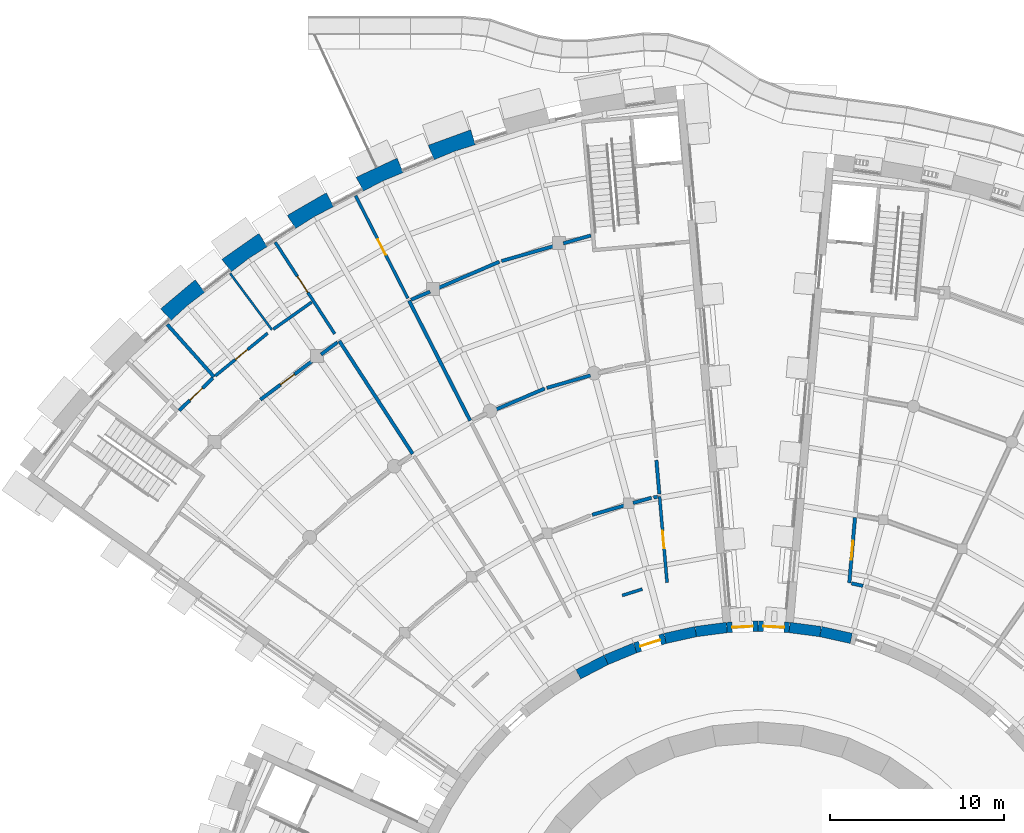
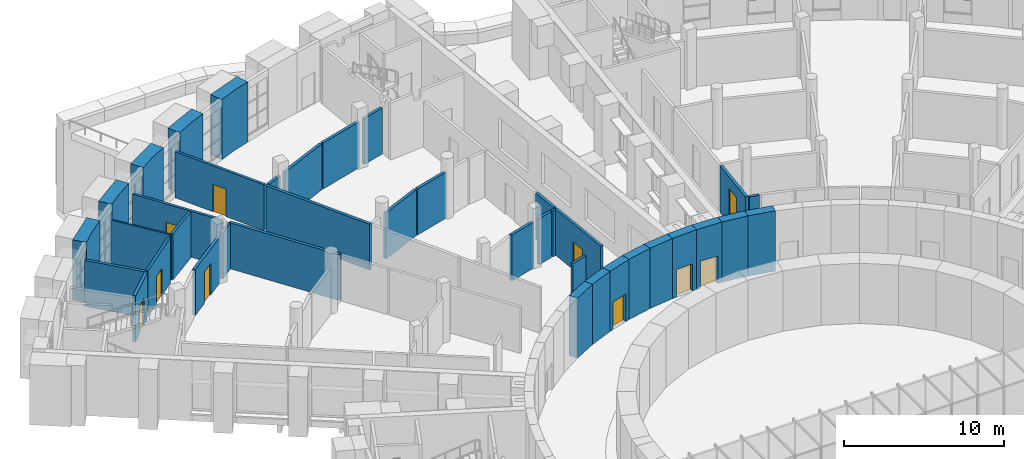
# One storey, part 57 of 85: 39 walls, 10 doors, 10 openings.
"""IFC4 building model written with IfcOpenShell, lengths in metres."""

from ifc_helpers import new_model, si_unit, direction, frame, frame_2d, origin, place, context, subcontext, project, spatial, polyline, rectangle, outline, extrude, material, layer, layer_set, type_object, element, fill, save


model = new_model("IFC4")

# Units and contexts
model_context = context("Model", 3, precision=1e-05, world=origin(), true_north=direction((0.0, 1.0)))
body_context = subcontext(model_context, "Body", "Model", "MODEL_VIEW")
ifc_project = project(units=[si_unit("LENGTHUNIT", "METRE"), si_unit("AREAUNIT", "SQUARE_METRE"), si_unit("VOLUMEUNIT", "CUBIC_METRE"), si_unit("PLANEANGLEUNIT", "RADIAN"), si_unit("MASSUNIT", "GRAM", prefix="KILO")], contexts=[model_context])

# Site, building, storey
site_placement = place(None, origin())
site = spatial("IfcSite", under=ifc_project, at=site_placement, CompositionType="ELEMENT")
building_placement = place(site_placement, origin())
building = spatial("IfcBuilding", under=site, at=building_placement, Name="Volute Hill Aquarium", CompositionType="ELEMENT")
storey_placement = place(building_placement, origin())
storey = spatial("IfcBuildingStorey", under=building, at=storey_placement, Name="L01", CompositionType="ELEMENT", Elevation=0.0)

# Wall, opening, door
ifc_material_1 = material(Name="Gypsum board on steel studs", Category="steel")
ifc_layer_1 = layer(ifc_material_1, 0.175048828125)
ifc_layer_set_1 = layer_set([ifc_layer_1], Name="Corridor partition 175 EI 60")
wall_type_1 = type_object("IfcWallType", Name="Corridor partition 175 EI 60", PredefinedType="PARTITIONING", material=ifc_layer_set_1)
wall_1_placement = place(storey_placement, frame((-23.1640625, 45.462158203125, 0.0), z_axis=(0.0, 0.0, 1.0), x_axis=(0.453983208185, -0.891010239383, 0.0)))
wall_1 = element("IfcWall", 1, at=wall_1_placement, inside=storey, type_object=wall_type_1, Name="pw/S6/L01/004", PredefinedType="PARTITIONING", context=body_context, shape_type="SweptSolid", body=[
    extrude(rectangle(XDim=6.623291015625, YDim=0.175048828125, at=frame_2d((3.3115234375, 0.0))), origin(), (0.0, 0.0, 1.0), 3.510009765625),
])
opening_1_placement = place(wall_1_placement, frame((2.811767578125, 0.0, 0.0)))
opening_1 = element("IfcOpeningElement", 2, at=opening_1_placement, cuts=wall_1, Name="Opening D6.01.07", PredefinedType="OPENING", context=body_context, shape_type="SweptSolid", body=[
    extrude(rectangle(XDim=1.0, YDim=2.10009765625, at=frame_2d((0.5, 1.050048828125))), frame((0.0, 0.097412109375, 0.0), z_axis=(0.0, -1.0, 0.0), x_axis=(1.0, 0.0, 0.0)), (0.0, 0.0, 1.0), 0.195068359375),
])
ifc_material_2 = material(Name="Timber, fire-rated", Category="wood")
door_type_1 = type_object("IfcDoorType", Name="Door 1000 x 2100 single EI1 30", OperationType="SINGLE_SWING_LEFT", PredefinedType="DOOR", material=ifc_material_2)
door_1_placement = place(opening_1_placement, origin())
door_1 = element("IfcDoor", 3, at=door_1_placement, inside=storey, type_object=door_type_1, Name="d/S6/L01/07", OperationType="SINGLE_SWING_LEFT", OverallHeight=2.10009765625, OverallWidth=1.0, PredefinedType="DOOR", context=body_context, shape_type="SweptSolid", body=[
    extrude(rectangle(XDim=1.0, YDim=2.10009765625, at=frame_2d((0.5, 1.050048828125))), frame((0.0, 0.02490234375, 0.0), z_axis=(0.0, -1.0, 0.0), x_axis=(1.0, 0.0, 0.0)), (0.0, 0.0, 1.0), 0.050048828125),
])
fill(opening_1, door_1)

wall_2_placement = place(storey_placement, frame((-24.364990234375, 37.518798828125, 0.0), z_axis=(0.0, 0.0, 1.0), x_axis=(-0.544641624285, 0.838668886448, 0.0)))
wall_2 = element("IfcWall", 4, at=wall_2_placement, inside=storey, type_object=wall_type_1, Name="pw/S6/L01/008", PredefinedType="PARTITIONING", context=body_context, shape_type="SweptSolid", body=[
    extrude(rectangle(XDim=6.287353515625, YDim=0.175048828125, at=frame_2d((3.1435546875, 0.0))), origin(), (0.0, 0.0, 1.0), 3.510009765625),
])
opening_2_placement = place(wall_2_placement, frame((2.843505859375, 0.0, 0.0)))
opening_2 = element("IfcOpeningElement", 5, at=opening_2_placement, cuts=wall_2, Name="Opening D6.01.08", PredefinedType="OPENING", context=body_context, shape_type="SweptSolid", body=[
    extrude(rectangle(XDim=1.10009765625, YDim=2.10009765625, at=frame_2d((0.550048828125, 1.050048828125))), frame((0.0, 0.097412109375, 0.0), z_axis=(0.0, -1.0, 0.0), x_axis=(1.0, 0.0, 0.0)), (0.0, 0.0, 1.0), 0.195068359375),
])
ifc_material_3 = material(Name="Timber, fire-rated", Category="wood")
door_type_2 = type_object("IfcDoorType", Name="Door 1100 x 2100 accessible WC EI1 30", OperationType="SINGLE_SWING_LEFT", PredefinedType="DOOR", material=ifc_material_3)
door_2_placement = place(opening_2_placement, origin())
door_2 = element("IfcDoor", 6, at=door_2_placement, inside=storey, type_object=door_type_2, Name="d/S6/L01/08", OperationType="SINGLE_SWING_RIGHT", OverallHeight=2.10009765625, OverallWidth=1.10009765625, PredefinedType="DOOR", context=body_context, shape_type="SweptSolid", body=[
    extrude(rectangle(XDim=1.10009765625, YDim=2.10009765625, at=frame_2d((0.550048828125, 1.050048828125))), frame((0.0, 0.02490234375, 0.0), z_axis=(0.0, -1.0, 0.0), x_axis=(1.0, 0.0, 0.0)), (0.0, 0.0, 1.0), 0.050048828125),
])
fill(opening_2, door_2)

wall_3_placement = place(storey_placement, frame((-5.2421875, 23.202392578125, 0.0), z_axis=(0.0, 0.0, 1.0), x_axis=(-0.087171821309, 0.996193291269, 0.0)))
wall_3 = element("IfcWall", 7, at=wall_3_placement, inside=storey, type_object=wall_type_1, Name="pw/S6/L01/012", PredefinedType="PARTITIONING", context=body_context, shape_type="SweptSolid", body=[
    extrude(rectangle(XDim=4.97412109375, YDim=0.175048828125, at=frame_2d((2.487060546875, 0.0))), origin(), (0.0, 0.0, 1.0), 3.510009765625),
])
opening_3_placement = place(wall_3_placement, frame((1.987060546875, 0.0, 0.0)))
opening_3 = element("IfcOpeningElement", 8, at=opening_3_placement, cuts=wall_3, Name="Opening D6.01.01", PredefinedType="OPENING", context=body_context, shape_type="SweptSolid", body=[
    extrude(rectangle(XDim=1.0, YDim=2.10009765625, at=frame_2d((0.5, 1.050048828125))), frame((0.0, 0.097412109375, 0.0), z_axis=(0.0, -1.0, 0.0), x_axis=(1.0, 0.0, 0.0)), (0.0, 0.0, 1.0), 0.195068359375),
])
door_3_placement = place(opening_3_placement, origin())
door_3 = element("IfcDoor", 9, at=door_3_placement, inside=storey, type_object=door_type_1, Name="d/S6/L01/01", OperationType="SINGLE_SWING_LEFT", OverallHeight=2.10009765625, OverallWidth=1.0, PredefinedType="DOOR", context=body_context, shape_type="SweptSolid", body=[
    extrude(rectangle(XDim=1.0, YDim=2.10009765625, at=frame_2d((0.5, 1.050048828125))), frame((0.0, 0.02490234375, 0.0), z_axis=(0.0, -1.0, 0.0), x_axis=(1.0, 0.0, 0.0)), (0.0, 0.0, 1.0), 0.050048828125),
])
fill(opening_3, door_3)

wall_4_placement = place(storey_placement, frame((-28.222412109375, 37.553955078125, 0.0), z_axis=(0.0, 0.0, 1.0), x_axis=(-0.775402094993, -0.631467806845, 0.0)))
wall_4 = element("IfcWall", 10, at=wall_4_placement, inside=storey, type_object=wall_type_1, Name="pw/S6/L01/017", PredefinedType="PARTITIONING", context=body_context, shape_type="SweptSolid", body=[
    extrude(rectangle(XDim=3.89453125, YDim=0.175048828125, at=frame_2d((1.947265625, 0.0))), origin(), (0.0, 0.0, 1.0), 3.510009765625),
])
opening_4_placement = place(wall_4_placement, frame((1.4970703125, 0.0, 0.0)))
opening_4 = element("IfcOpeningElement", 11, at=opening_4_placement, cuts=wall_4, Name="Opening D6.01.10", PredefinedType="OPENING", context=body_context, shape_type="SweptSolid", body=[
    extrude(rectangle(XDim=0.89990234375, YDim=2.10009765625, at=frame_2d((0.449951171875, 1.050048828125))), frame((0.0, 0.097412109375, 0.0), z_axis=(0.0, -1.0, 0.0), x_axis=(1.0, 0.0, 0.0)), (0.0, 0.0, 1.0), 0.195068359375),
])
ifc_material_4 = material(Name="Timber, fire-rated", Category="wood")
door_type_3 = type_object("IfcDoorType", Name="Door 900 x 2100 wc single EI1 30", OperationType="SINGLE_SWING_LEFT", PredefinedType="DOOR", material=ifc_material_4)
door_4_placement = place(opening_4_placement, origin())
door_4 = element("IfcDoor", 12, at=door_4_placement, inside=storey, type_object=door_type_3, Name="d/S6/L01/10", OperationType="SINGLE_SWING_RIGHT", OverallHeight=2.10009765625, OverallWidth=0.89990234375, PredefinedType="DOOR", context=body_context, shape_type="SweptSolid", body=[
    extrude(rectangle(XDim=0.89990234375, YDim=2.10009765625, at=frame_2d((0.449951171875, 1.050048828125))), frame((0.0, 0.02490234375, 0.0), z_axis=(0.0, -1.0, 0.0), x_axis=(1.0, 0.0, 0.0)), (0.0, 0.0, 1.0), 0.050048828125),
])
fill(opening_4, door_4)

# Walls
wall_5_placement = place(storey_placement, frame((-27.89794921875, 37.78271484375, 0.0), z_axis=(0.0, 0.0, 1.0), x_axis=(0.817117986764, 0.576470463863, 0.0)))
element("IfcWall", 13, at=wall_5_placement, inside=storey, type_object=wall_type_1, Name="pw/S6/L01/025", PredefinedType="PARTITIONING", context=body_context, shape_type="SweptSolid", body=[
    extrude(rectangle(XDim=2.70361328125, YDim=0.175048828125, at=frame_2d((1.351806640625, 0.0))), origin(), (0.0, 0.0, 1.0), 3.510009765625),
])
wall_6_placement = place(storey_placement, frame((-7.819580078125, 22.4658203125, 0.0), z_axis=(0.0, 0.0, 1.0), x_axis=(0.953765647502, 0.300551309505, 0.0)))
element("IfcWall", 14, at=wall_6_placement, inside=storey, type_object=wall_type_1, Name="pw/S6/L01/048", PredefinedType="PARTITIONING", context=body_context, shape_type="SweptSolid", body=[
    extrude(rectangle(XDim=1.208740234375, YDim=0.175048828125, at=frame_2d((0.6044921875, 0.0))), origin(), (0.0, 0.0, 1.0), 3.510009765625),
])
ifc_material_5 = material(Name="Concrete C35/45", Category="concrete")
ifc_layer_2 = layer(ifc_material_5, 0.60009765625)
ifc_layer_set_2 = layer_set([ifc_layer_2], Name="Drum wall C35/45 600")
wall_type_2 = type_object("IfcWallType", Name="Drum wall C35/45 600", PredefinedType="SHEAR", material=ifc_layer_set_2)
wall_7_placement = place(storey_placement, frame((5.357666015625, 19.99462890625, 0.0), z_axis=(0.0, 0.0, 1.0), x_axis=(-0.976298259567, 0.216429453554, 0.0)))
element("IfcWall", 15, at=wall_7_placement, inside=storey, type_object=wall_type_2, Name="sw/DR/L01/15", PredefinedType="SHEAR", context=body_context, shape_type="SweptSolid", body=[
    extrude(rectangle(XDim=1.805908203125, YDim=0.60009765625, at=frame_2d((0.90283203125, 0.0))), origin(), (0.0, 0.0, 1.0), 4.60009765625),
])
wall_8_placement = place(storey_placement, frame((3.594482421875, 20.385498046875, 0.0), z_axis=(0.0, 0.0, 1.0), x_axis=(-0.991451994433, 0.130471999813, 0.0)))
element("IfcWall", 16, at=wall_8_placement, inside=storey, type_object=wall_type_2, Name="sw/DR/L01/16", PredefinedType="SHEAR", context=body_context, shape_type="SweptSolid", body=[
    extrude(rectangle(XDim=1.8056640625, YDim=0.60009765625, at=frame_2d((0.90283203125, 0.0))), origin(), (0.0, 0.0, 1.0), 4.60009765625),
])

# Wall, opening, door
wall_9_placement = place(storey_placement, frame((1.80419921875, 20.62109375, 0.0), z_axis=(0.0, 0.0, 1.0), x_axis=(-0.999046184291, 0.043666024022, 0.0)))
wall_9 = element("IfcWall", 17, at=wall_9_placement, inside=storey, type_object=wall_type_2, Name="sw/DR/L01/17", PredefinedType="SHEAR", context=body_context, shape_type="SweptSolid", body=[
    extrude(rectangle(XDim=1.805908203125, YDim=0.60009765625, at=frame_2d((0.90283203125, 0.0))), origin(), (0.0, 0.0, 1.0), 4.60009765625),
])
opening_5_placement = place(wall_9_placement, frame((0.302978515625, 0.0, 0.0)))
opening_5 = element("IfcOpeningElement", 18, at=opening_5_placement, cuts=wall_9, Name="Opening DX.SC6.1", PredefinedType="OPENING", context=body_context, shape_type="SweptSolid", body=[
    extrude(rectangle(XDim=1.199951171875, YDim=2.10009765625, at=frame_2d((0.60009765625, 1.050048828125))), frame((0.0, 0.31005859375, 0.0), z_axis=(0.0, -1.0, 0.0), x_axis=(1.0, 0.0, 0.0)), (0.0, 0.0, 1.0), 0.6201171875),
])
ifc_material_6 = material(Name="Timber, fire-rated", Category="wood")
door_type_4 = type_object("IfcDoorType", Name="Door 1200 x 2100 drum double EI1 30", OperationType="DOUBLE_DOOR_SINGLE_SWING", PredefinedType="DOOR", material=ifc_material_6)
door_5_placement = place(opening_5_placement, origin())
door_5 = element("IfcDoor", 19, at=door_5_placement, inside=storey, type_object=door_type_4, Name="d/SC6/L01/ex1", OperationType="SINGLE_SWING_LEFT", OverallHeight=2.10009765625, OverallWidth=1.199951171875, PredefinedType="DOOR", context=body_context, shape_type="SweptSolid", body=[
    extrude(rectangle(XDim=1.199951171875, YDim=2.10009765625, at=frame_2d((0.60009765625, 1.050048828125))), frame((0.0, 0.02490234375, 0.0), z_axis=(0.0, -1.0, 0.0), x_axis=(1.0, 0.0, 0.0)), (0.0, 0.0, 1.0), 0.050048828125),
])
fill(opening_5, door_5)

wall_10_placement = place(storey_placement, frame((0.0, 20.699951171875, 0.0), z_axis=(0.0, 0.0, 1.0), x_axis=(-0.999046184291, -0.043666024022, 0.0)))
wall_10 = element("IfcWall", 20, at=wall_10_placement, inside=storey, type_object=wall_type_2, Name="sw/DR/L01/18", PredefinedType="SHEAR", context=body_context, shape_type="SweptSolid", body=[
    extrude(rectangle(XDim=1.805908203125, YDim=0.60009765625, at=frame_2d((0.90283203125, 0.0))), origin(), (0.0, 0.0, 1.0), 4.60009765625),
])
opening_6_placement = place(wall_10_placement, frame((0.302978515625, 0.0, 0.0)))
opening_6 = element("IfcOpeningElement", 21, at=opening_6_placement, cuts=wall_10, Name="Opening DX.SC6.2", PredefinedType="OPENING", context=body_context, shape_type="SweptSolid", body=[
    extrude(rectangle(XDim=1.199951171875, YDim=2.10009765625, at=frame_2d((0.60009765625, 1.050048828125))), frame((0.0, 0.31005859375, 0.0), z_axis=(0.0, -1.0, 0.0), x_axis=(1.0, 0.0, 0.0)), (0.0, 0.0, 1.0), 0.6201171875),
])
door_6_placement = place(opening_6_placement, origin())
door_6 = element("IfcDoor", 22, at=door_6_placement, inside=storey, type_object=door_type_4, Name="d/SC6/L01/ex2", OperationType="SINGLE_SWING_LEFT", OverallHeight=2.10009765625, OverallWidth=1.199951171875, PredefinedType="DOOR", context=body_context, shape_type="SweptSolid", body=[
    extrude(rectangle(XDim=1.199951171875, YDim=2.10009765625, at=frame_2d((0.60009765625, 1.050048828125))), frame((0.0, 0.02490234375, 0.0), z_axis=(0.0, -1.0, 0.0), x_axis=(1.0, 0.0, 0.0)), (0.0, 0.0, 1.0), 0.050048828125),
])
fill(opening_6, door_6)

# Walls
wall_11_placement = place(storey_placement, frame((-1.80419921875, 20.62109375, 0.0), z_axis=(0.0, 0.0, 1.0), x_axis=(-0.991451994433, -0.130471999813, 0.0)))
element("IfcWall", 23, at=wall_11_placement, inside=storey, type_object=wall_type_2, Name="sw/DR/L01/19", PredefinedType="SHEAR", context=body_context, shape_type="SweptSolid", body=[
    extrude(rectangle(XDim=1.8056640625, YDim=0.60009765625, at=frame_2d((0.90283203125, 0.0))), origin(), (0.0, 0.0, 1.0), 4.60009765625),
])
wall_12_placement = place(storey_placement, frame((-3.594482421875, 20.385498046875, 0.0), z_axis=(0.0, 0.0, 1.0), x_axis=(-0.976298259567, -0.216429453554, 0.0)))
element("IfcWall", 24, at=wall_12_placement, inside=storey, type_object=wall_type_2, Name="sw/DR/L01/20", PredefinedType="SHEAR", context=body_context, shape_type="SweptSolid", body=[
    extrude(rectangle(XDim=1.805908203125, YDim=0.60009765625, at=frame_2d((0.90283203125, 0.0))), origin(), (0.0, 0.0, 1.0), 4.60009765625),
])

# Wall, opening, door
wall_13_placement = place(storey_placement, frame((-5.357666015625, 19.99462890625, 0.0), z_axis=(0.0, 0.0, 1.0), x_axis=(-0.953721512733, -0.300691330354, 0.0)))
wall_13 = element("IfcWall", 25, at=wall_13_placement, inside=storey, type_object=wall_type_2, Name="sw/DR/L01/21", PredefinedType="SHEAR", context=body_context, shape_type="SweptSolid", body=[
    extrude(rectangle(XDim=1.8056640625, YDim=0.60009765625, at=frame_2d((0.90283203125, 0.0))), origin(), (0.0, 0.0, 1.0), 4.60009765625),
])
opening_7_placement = place(wall_13_placement, frame((0.302978515625, 0.0, 0.0)))
opening_7 = element("IfcOpeningElement", 26, at=opening_7_placement, cuts=wall_13, Name="Opening D6.01.R1", PredefinedType="OPENING", context=body_context, shape_type="SweptSolid", body=[
    extrude(rectangle(XDim=1.199951171875, YDim=2.10009765625, at=frame_2d((0.60009765625, 1.050048828125))), frame((0.0, 0.31005859375, 0.0), z_axis=(0.0, -1.0, 0.0), x_axis=(1.0, 0.0, 0.0)), (0.0, 0.0, 1.0), 0.6201171875),
])
ifc_material_7 = material(Name="Timber", Category="wood")
door_type_5 = type_object("IfcDoorType", Name="Door 1200 x 2100 drum double", OperationType="DOUBLE_DOOR_SINGLE_SWING", PredefinedType="DOOR", material=ifc_material_7)
door_7_placement = place(opening_7_placement, origin())
door_7 = element("IfcDoor", 27, at=door_7_placement, inside=storey, type_object=door_type_5, Name="d/S6/L01/dr1", OperationType="SINGLE_SWING_LEFT", OverallHeight=2.10009765625, OverallWidth=1.199951171875, PredefinedType="DOOR", context=body_context, shape_type="SweptSolid", body=[
    extrude(rectangle(XDim=1.199951171875, YDim=2.10009765625, at=frame_2d((0.60009765625, 1.050048828125))), frame((0.0, 0.02490234375, 0.0), z_axis=(0.0, -1.0, 0.0), x_axis=(1.0, 0.0, 0.0)), (0.0, 0.0, 1.0), 0.050048828125),
])
fill(opening_7, door_7)

# Walls
for number, where, z_axis, x_axis, name in (
    (28, (-7.079833984375, 19.45166015625, 0.0), (0.0, 0.0, 1.0), (-0.923866889322, -0.382713954298, 0.0), "sw/DR/L01/22"),
    (29, (-8.748291015625, 18.760498046875, 0.0), (0.0, 0.0, 1.0), (-0.887035219654, -0.461701764231, 0.0), "sw/DR/L01/23"),
):
    element("IfcWall", number, at=place(storey_placement, frame(where, z_axis=z_axis, x_axis=x_axis)), inside=storey, type_object=wall_type_2, Name=name, PredefinedType="SHEAR", context=body_context, shape_type="SweptSolid", body=[
        extrude(rectangle(XDim=1.805908203125, YDim=0.60009765625, at=frame_2d((0.90283203125, 0.0))), origin(), (0.0, 0.0, 1.0), 4.60009765625),
    ])

# Wall, opening, door
ifc_material_8 = material(Name="Masonry blockwork", Category="masonry")
ifc_layer_3 = layer(ifc_material_8, 0.199951171875)
ifc_layer_set_3 = layer_set([ifc_layer_3], Name="Fire partition 200 EI 60")
wall_type_3 = type_object("IfcWallType", Name="Fire partition 200 EI 60", PredefinedType="PARTITIONING", material=ifc_layer_set_3)
wall_14_placement = place(storey_placement, frame((5.570068359375, 26.94970703125, 0.0), z_axis=(0.0, 0.0, 1.0), x_axis=(-0.087196662223, -0.996191117255, 0.0)))
wall_14 = element("IfcWall", 30, at=wall_14_placement, inside=storey, type_object=wall_type_3, Name="pw/S5/L01/018", PredefinedType="PARTITIONING", context=body_context, shape_type="SweptSolid", body=[
    extrude(rectangle(XDim=3.771484375, YDim=0.199951171875, at=frame_2d((1.8857421875, 0.0))), origin(), (0.0, 0.0, 1.0), 3.590087890625),
])
opening_8_placement = place(wall_14_placement, frame((1.335693359375, 0.0, 0.0)))
opening_8 = element("IfcOpeningElement", 31, at=opening_8_placement, cuts=wall_14, Name="Opening D5.01.05", PredefinedType="OPENING", context=body_context, shape_type="SweptSolid", body=[
    extrude(rectangle(XDim=1.10009765625, YDim=2.699951171875, at=frame_2d((0.550048828125, 1.35009765625))), frame((0.0, 0.10986328125, 0.0), z_axis=(0.0, -1.0, 0.0), x_axis=(1.0, 0.0, 0.0)), (0.0, 0.0, 1.0), 0.219970703125),
])
ifc_material_9 = material(Name="Steel, fire-rated", Category="steel")
door_type_6 = type_object("IfcDoorType", Name="Door 1100 x 2700 animal care EI1 30", OperationType="SINGLE_SWING_LEFT", PredefinedType="DOOR", material=ifc_material_9)
door_8_placement = place(opening_8_placement, origin())
door_8 = element("IfcDoor", 32, at=door_8_placement, inside=storey, type_object=door_type_6, Name="d/S5/L01/05", OperationType="SINGLE_SWING_LEFT", OverallHeight=2.699951171875, OverallWidth=1.10009765625, PredefinedType="DOOR", context=body_context, shape_type="SweptSolid", body=[
    extrude(rectangle(XDim=1.10009765625, YDim=2.699951171875, at=frame_2d((0.550048828125, 1.35009765625))), frame((0.0, 0.02490234375, 0.0), z_axis=(0.0, -1.0, 0.0), x_axis=(1.0, 0.0, 0.0)), (0.0, 0.0, 1.0), 0.050048828125),
])
fill(opening_8, door_8)

# Walls
wall_15_placement = place(storey_placement, frame((5.3681640625, 23.16455078125, 0.0), z_axis=(0.0, 0.0, 1.0), x_axis=(0.976271345866, -0.216550823688, 0.0)))
element("IfcWall", 33, at=wall_15_placement, inside=storey, type_object=wall_type_3, Name="pw/S5/L01/035", PredefinedType="PARTITIONING", context=body_context, shape_type="SweptSolid", body=[
    extrude(rectangle(XDim=0.680908203125, YDim=0.199951171875, at=frame_2d((0.34033203125, 0.0))), origin(), (0.0, 0.0, 1.0), 3.590087890625),
])
wall_16_placement = place(storey_placement, frame((-19.87939453125, 30.611572265625, 0.0), z_axis=(0.0, 0.0, 1.0), x_axis=(-0.544649472572, 0.838663789624, 0.0)))
element("IfcWall", 34, at=wall_16_placement, inside=storey, type_object=wall_type_3, Name="pw/S6/L01/002", PredefinedType="PARTITIONING", context=body_context, shape_type="SweptSolid", body=[
    extrude(rectangle(XDim=7.749755859375, YDim=0.199951171875, at=frame_2d((3.875, 0.0))), origin(), (0.0, 0.0, 1.0), 3.510009765625),
])
wall_17_placement = place(storey_placement, frame((-20.089111328125, 39.427001953125, 0.0), z_axis=(0.0, 0.0, 1.0), x_axis=(0.454005059644, -0.890999105397, 0.0)))
element("IfcWall", 35, at=wall_17_placement, inside=storey, type_object=wall_type_3, Name="pw/S6/L01/003", PredefinedType="PARTITIONING", context=body_context, shape_type="SweptSolid", body=[
    extrude(rectangle(XDim=7.75, YDim=0.199951171875, at=frame_2d((3.875, 0.0))), origin(), (0.0, 0.0, 1.0), 3.510009765625),
])
wall_18_placement = place(storey_placement, frame((-31.306884765625, 35.0419921875, 0.0), z_axis=(0.0, 0.0, 1.0), x_axis=(-0.666273010503, 0.745707902248, 0.0)))
element("IfcWall", 36, at=wall_18_placement, inside=storey, type_object=wall_type_3, Name="pw/S6/L01/016", PredefinedType="PARTITIONING", context=body_context, shape_type="SweptSolid", body=[
    extrude(rectangle(XDim=4.035400390625, YDim=0.199951171875, at=frame_2d((2.017578125, 0.0))), origin(), (0.0, 0.0, 1.0), 3.510009765625),
])

# Wall, opening, door
wall_19_placement = place(storey_placement, frame((-28.64013671875, 33.7314453125, 0.0), z_axis=(0.0, 0.0, 1.0), x_axis=(0.802142294319, 0.597132932992, 0.0)))
wall_19 = element("IfcWall", 37, at=wall_19_placement, inside=storey, type_object=wall_type_3, Name="pw/S6/L01/018", PredefinedType="PARTITIONING", context=body_context, shape_type="SweptSolid", body=[
    extrude(rectangle(XDim=3.88818359375, YDim=0.199951171875, at=frame_2d((1.944091796875, 0.0))), origin(), (0.0, 0.0, 1.0), 3.510009765625),
])
opening_9_placement = place(wall_19_placement, frame((1.444091796875, 0.0, 0.0)))
opening_9 = element("IfcOpeningElement", 38, at=opening_9_placement, cuts=wall_19, Name="Opening D6.01.09", PredefinedType="OPENING", context=body_context, shape_type="SweptSolid", body=[
    extrude(rectangle(XDim=1.0, YDim=2.39990234375, at=frame_2d((0.5, 1.199951171875))), frame((0.0, 0.10986328125, 0.0), z_axis=(0.0, -1.0, 0.0), x_axis=(1.0, 0.0, 0.0)), (0.0, 0.0, 1.0), 0.219970703125),
])
ifc_material_10 = material(Name="Steel, fire-rated", Category="steel")
door_type_7 = type_object("IfcDoorType", Name="Door 1000 x 2400 laboratory EI1 30", OperationType="SINGLE_SWING_LEFT", PredefinedType="DOOR", material=ifc_material_10)
door_9_placement = place(opening_9_placement, origin())
door_9 = element("IfcDoor", 39, at=door_9_placement, inside=storey, type_object=door_type_7, Name="d/S6/L01/09", OperationType="SINGLE_SWING_LEFT", OverallHeight=2.39990234375, OverallWidth=1.0, PredefinedType="DOOR", context=body_context, shape_type="SweptSolid", body=[
    extrude(rectangle(XDim=1.0, YDim=2.39990234375, at=frame_2d((0.5, 1.199951171875))), frame((0.0, 0.02490234375, 0.0), z_axis=(0.0, -1.0, 0.0), x_axis=(1.0, 0.0, 0.0)), (0.0, 0.0, 1.0), 0.050048828125),
])
fill(opening_9, door_9)

# Wall
wall_20_placement = place(storey_placement, frame((-18.462158203125, 40.12890625, 0.0), z_axis=(0.0, 0.0, 1.0), x_axis=(0.918233153658, 0.396040244828, 0.0)))
element("IfcWall", 40, at=wall_20_placement, inside=storey, type_object=wall_type_3, Name="pw/S6/L01/019", PredefinedType="PARTITIONING", context=body_context, shape_type="SweptSolid", body=[
    extrude(rectangle(XDim=3.887939453125, YDim=0.199951171875, at=frame_2d((1.94384765625, 0.0))), origin(), (0.0, 0.0, 1.0), 3.510009765625),
])

# Wall, opening, door
wall_21_placement = place(storey_placement, frame((-33.310302734375, 33.1083984375, 0.0), z_axis=(0.0, 0.0, 1.0), x_axis=(0.719387385226, 0.694609091488, 0.0)))
wall_21 = element("IfcWall", 41, at=wall_21_placement, inside=storey, type_object=wall_type_3, Name="pw/S6/L01/022", PredefinedType="PARTITIONING", context=body_context, shape_type="SweptSolid", body=[
    extrude(rectangle(XDim=2.68994140625, YDim=0.199951171875, at=frame_2d((1.344970703125, 0.0))), origin(), (0.0, 0.0, 1.0), 3.510009765625),
])
opening_10_placement = place(wall_21_placement, frame((0.844970703125, 0.0, 0.0)))
opening_10 = element("IfcOpeningElement", 42, at=opening_10_placement, cuts=wall_21, Name="Opening D6.01.11", PredefinedType="OPENING", context=body_context, shape_type="SweptSolid", body=[
    extrude(rectangle(XDim=1.0, YDim=2.10009765625, at=frame_2d((0.5, 1.050048828125))), frame((0.0, 0.10986328125, 0.0), z_axis=(0.0, -1.0, 0.0), x_axis=(1.0, 0.0, 0.0)), (0.0, 0.0, 1.0), 0.219970703125),
])
door_10_placement = place(opening_10_placement, origin())
door_10 = element("IfcDoor", 43, at=door_10_placement, inside=storey, type_object=door_type_1, Name="d/S6/L01/11", OperationType="SINGLE_SWING_LEFT", OverallHeight=2.10009765625, OverallWidth=1.0, PredefinedType="DOOR", context=body_context, shape_type="SweptSolid", body=[
    extrude(rectangle(XDim=1.0, YDim=2.10009765625, at=frame_2d((0.5, 1.050048828125))), frame((0.0, 0.02490234375, 0.0), z_axis=(0.0, -1.0, 0.0), x_axis=(1.0, 0.0, 0.0)), (0.0, 0.0, 1.0), 0.050048828125),
])
fill(opening_10, door_10)

# Walls
wall_22_placement = place(storey_placement, frame((-14.767333984375, 41.70458984375, 0.0), z_axis=(0.0, 0.0, 1.0), x_axis=(0.961273910013, 0.275594756714, 0.0)))
element("IfcWall", 44, at=wall_22_placement, inside=storey, type_object=wall_type_3, Name="pw/S6/L01/023", PredefinedType="PARTITIONING", context=body_context, shape_type="SweptSolid", body=[
    extrude(rectangle(XDim=3.24755859375, YDim=0.199951171875, at=frame_2d((1.623779296875, 0.0))), origin(), (0.0, 0.0, 1.0), 3.510009765625),
])
wall_23_placement = place(storey_placement, frame((-15.188720703125, 33.117919921875, 0.0), z_axis=(0.0, 0.0, 1.0), x_axis=(0.918224420865, 0.396060491501, 0.0)))
element("IfcWall", 45, at=wall_23_placement, inside=storey, type_object=wall_type_3, Name="pw/S6/L01/026", PredefinedType="PARTITIONING", context=body_context, shape_type="SweptSolid", body=[
    extrude(rectangle(XDim=3.16357421875, YDim=0.199951171875, at=frame_2d((1.581787109375, 0.0))), origin(), (0.0, 0.0, 1.0), 3.510009765625),
])
wall_24_placement = place(storey_placement, frame((-12.1591796875, 34.406494140625, 0.0), z_axis=(0.0, 0.0, 1.0), x_axis=(0.961251857381, 0.275671664633, 0.0)))
element("IfcWall", 46, at=wall_24_placement, inside=storey, type_object=wall_type_3, Name="pw/S6/L01/028", PredefinedType="PARTITIONING", context=body_context, shape_type="SweptSolid", body=[
    extrude(rectangle(XDim=2.61181640625, YDim=0.199951171875, at=frame_2d((1.305908203125, 0.0))), origin(), (0.0, 0.0, 1.0), 3.510009765625),
])
wall_25_placement = place(storey_placement, frame((-5.688720703125, 28.306884765625, 0.0), z_axis=(0.0, 0.0, 1.0), x_axis=(-0.087110975906, 0.996198613669, 0.0)))
element("IfcWall", 47, at=wall_25_placement, inside=storey, type_object=wall_type_3, Name="pw/S6/L01/033", PredefinedType="PARTITIONING", context=body_context, shape_type="SweptSolid", body=[
    extrude(rectangle(XDim=1.94775390625, YDim=0.199951171875, at=frame_2d((0.973876953125, 0.0))), origin(), (0.0, 0.0, 1.0), 3.510009765625),
])
wall_26_placement = place(storey_placement, frame((-9.55078125, 27.108642578125, 0.0), z_axis=(0.0, 0.0, 1.0), x_axis=(0.961262549372, 0.275634379522, 0.0)))
element("IfcWall", 48, at=wall_26_placement, inside=storey, type_object=wall_type_3, Name="pw/S6/L01/035", PredefinedType="PARTITIONING", context=body_context, shape_type="SweptSolid", body=[
    extrude(rectangle(XDim=1.97705078125, YDim=0.199951171875, at=frame_2d((0.988525390625, 0.0))), origin(), (0.0, 0.0, 1.0), 3.510009765625),
])
wall_27_placement = place(storey_placement, frame((-11.213623046875, 42.7236328125, 0.0), z_axis=(0.0, 0.0, 1.0), x_axis=(0.961266301996, 0.275621292078, 0.0)))
element("IfcWall", 49, at=wall_27_placement, inside=storey, type_object=wall_type_3, Name="pw/S6/L01/039", PredefinedType="PARTITIONING", context=body_context, shape_type="SweptSolid", body=[
    extrude(rectangle(XDim=1.6474609375, YDim=0.199951171875, at=frame_2d((0.82373046875, 0.0))), origin(), (0.0, 0.0, 1.0), 3.510009765625),
])
wall_28_placement = place(storey_placement, frame((-25.154296875, 36.326416015625, 0.0), z_axis=(0.0, 0.0, 1.0), x_axis=(0.802122965633, 0.59715889678, 0.0)))
element("IfcWall", 50, at=wall_28_placement, inside=storey, type_object=wall_type_3, Name="pw/S6/L01/045", PredefinedType="PARTITIONING", context=body_context, shape_type="SweptSolid", body=[
    extrude(rectangle(XDim=1.18408203125, YDim=0.199951171875, at=frame_2d((0.592041015625, 0.0))), origin(), (0.0, 0.0, 1.0), 3.510009765625),
])
wall_29_placement = place(storey_placement, frame((-19.969482421875, 39.478515625, 0.0), z_axis=(0.0, 0.0, 1.0), x_axis=(0.918171498253, 0.396183164453, 0.0)))
element("IfcWall", 51, at=wall_29_placement, inside=storey, type_object=wall_type_3, Name="pw/S6/L01/046", PredefinedType="PARTITIONING", context=body_context, shape_type="SweptSolid", body=[
    extrude(rectangle(XDim=1.183837890625, YDim=0.199951171875, at=frame_2d((0.591796875, 0.0))), origin(), (0.0, 0.0, 1.0), 3.510009765625),
])
wall_30_placement = place(storey_placement, frame((-7.20166015625, 27.782470703125, 0.0), z_axis=(0.0, 0.0, 1.0), x_axis=(0.96129815515, 0.275510175682, 0.0)))
element("IfcWall", 52, at=wall_30_placement, inside=storey, type_object=wall_type_3, Name="pw/S6/L01/049", PredefinedType="PARTITIONING", context=body_context, shape_type="SweptSolid", body=[
    extrude(rectangle(XDim=1.103271484375, YDim=0.199951171875, at=frame_2d((0.5517578125, 0.0))), origin(), (0.0, 0.0, 1.0), 3.510009765625),
])
wall_31_placement = place(storey_placement, frame((-6.012451171875, 28.106201171875, 0.0), z_axis=(0.0, 0.0, 1.0), x_axis=(0.988685999696, 0.14999998002, 0.0)))
element("IfcWall", 53, at=wall_31_placement, inside=storey, type_object=wall_type_3, Name="pw/S6/L01/055", PredefinedType="PARTITIONING", context=body_context, shape_type="SweptSolid", body=[
    extrude(rectangle(XDim=0.222900390625, YDim=0.199951171875, at=frame_2d((0.111328125, 0.0))), origin(), (0.0, 0.0, 1.0), 3.510009765625),
])
ifc_material_11 = material(Name="Precast concrete C40/50", Category="concrete")
ifc_layer_4 = layer(ifc_material_11, 0.89990234375)
ifc_layer_set_4 = layer_set([ifc_layer_4], Name="Outer pier precast concrete C40/50 900")
wall_type_4 = type_object("IfcWallType", Name="Outer pier precast concrete C40/50 900", PredefinedType="NOTDEFINED", material=ifc_layer_set_4)
wall_32_placement = place(storey_placement, origin())
element("IfcWall", 54, at=wall_32_placement, inside=storey, type_object=wall_type_4, Name="Outer pier OWP S6 L01 4", PredefinedType="NOTDEFINED", context=body_context, shape_type="SweptSolid", body=[
    extrude(outline(polyline([(-16.2734375, 48.3974609375), (-16.544189453125, 49.255859375), (-18.987548828125, 48.366455078125), (-18.64306640625, 47.534912109375), (-17.47705078125, 48.017822265625), (-16.2734375, 48.3974609375)])), origin(), (0.0, 0.0, 1.0), 4.60009765625),
])
wall_33_placement = place(storey_placement, origin())
element("IfcWall", 55, at=wall_33_placement, inside=storey, type_object=wall_type_4, Name="Outer pier OWP S6 L01 5", PredefinedType="NOTDEFINED", context=body_context, shape_type="SweptSolid", body=[
    extrude(outline(polyline([(-20.4296875, 46.794921875), (-20.774169921875, 47.62646484375), (-23.130615234375, 46.527587890625), (-22.715087890625, 45.729248046875), (-21.595703125, 46.31201171875), (-20.4296875, 46.794921875)])), origin(), (0.0, 0.0, 1.0), 4.60009765625),
])
wall_34_placement = place(storey_placement, origin())
element("IfcWall", 56, at=wall_34_placement, inside=storey, type_object=wall_type_4, Name="Outer pier OWP S6 L01 6", PredefinedType="NOTDEFINED", context=body_context, shape_type="SweptSolid", body=[
    extrude(outline(polyline([(-24.430419921875, 44.836181640625), (-24.845947265625, 45.634521484375), (-27.09765625, 44.33447265625), (-26.6142578125, 43.575439453125), (-25.5498046875, 44.25341796875), (-24.430419921875, 44.836181640625)])), origin(), (0.0, 0.0, 1.0), 4.60009765625),
])
wall_35_placement = place(storey_placement, origin())
element("IfcWall", 57, at=wall_35_placement, inside=storey, type_object=wall_type_4, Name="Outer pier OWP S6 L01 7", PredefinedType="NOTDEFINED", context=body_context, shape_type="SweptSolid", body=[
    extrude(outline(polyline([(-28.2451171875, 42.536376953125), (-28.728759765625, 43.29541015625), (-30.858642578125, 41.803955078125), (-30.310791015625, 41.090087890625), (-29.3095703125, 41.8583984375), (-28.2451171875, 42.536376953125)])), origin(), (0.0, 0.0, 1.0), 4.60009765625),
])
wall_36_placement = place(storey_placement, origin())
element("IfcWall", 58, at=wall_36_placement, inside=storey, type_object=wall_type_4, Name="Outer pier OWP S6 L01 8", PredefinedType="NOTDEFINED", context=body_context, shape_type="SweptSolid", body=[
    extrude(outline(polyline([(-31.844970703125, 39.912841796875), (-32.392822265625, 40.626708984375), (-34.384765625, 38.95556640625), (-33.776611328125, 38.2919921875), (-32.84619140625, 39.14453125), (-31.844970703125, 39.912841796875)])), origin(), (0.0, 0.0, 1.0), 4.60009765625),
])
ifc_material_12 = material(Name="Gypsum board on steel studs, tiled", Category="steel")
ifc_layer_5 = layer(ifc_material_12, 0.125)
ifc_layer_set_5 = layer_set([ifc_layer_5], Name="Wet-area partition 125")
wall_type_5 = type_object("IfcWallType", Name="Wet-area partition 125", PredefinedType="PARTITIONING", material=ifc_layer_set_5)
wall_37_placement = place(storey_placement, frame((-27.978515625, 37.752685546875, 0.0), z_axis=(0.0, 0.0, 1.0), x_axis=(-0.595405362165, 0.803425450621, 0.0)))
element("IfcWall", 59, at=wall_37_placement, inside=storey, type_object=wall_type_5, Name="pw/S6/L01/015", PredefinedType="PARTITIONING", context=body_context, shape_type="SweptSolid", body=[
    extrude(rectangle(XDim=4.03857421875, YDim=0.125, at=frame_2d((2.019287109375, 0.0))), origin(), (0.0, 0.0, 1.0), 3.510009765625),
])

save(model, "model.ifc")
